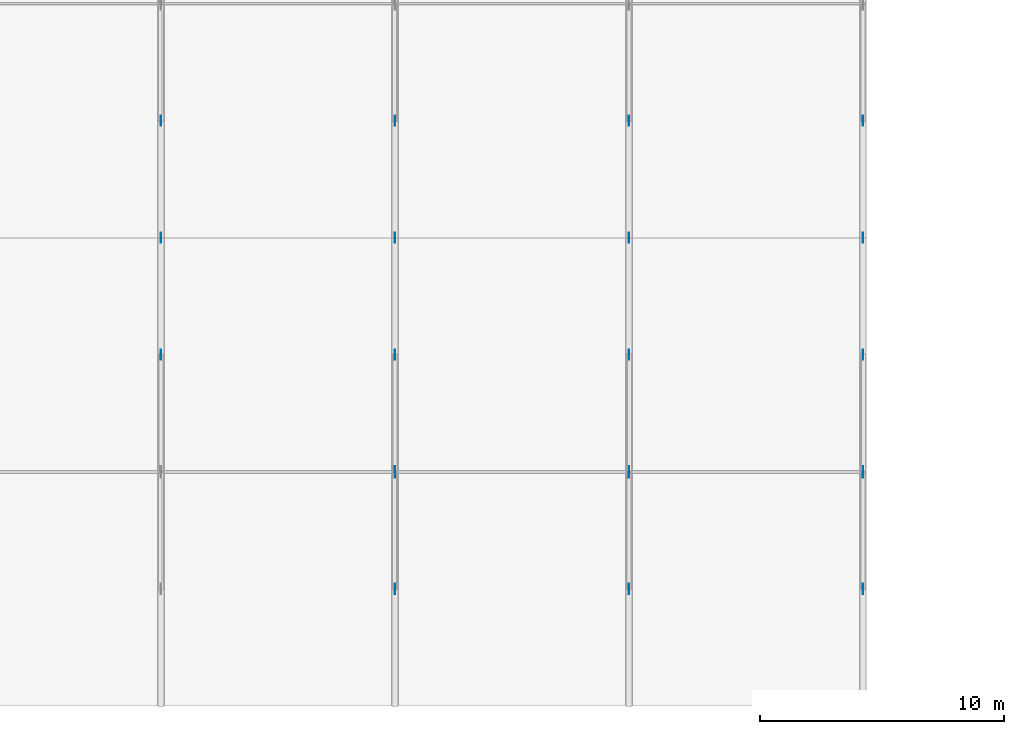
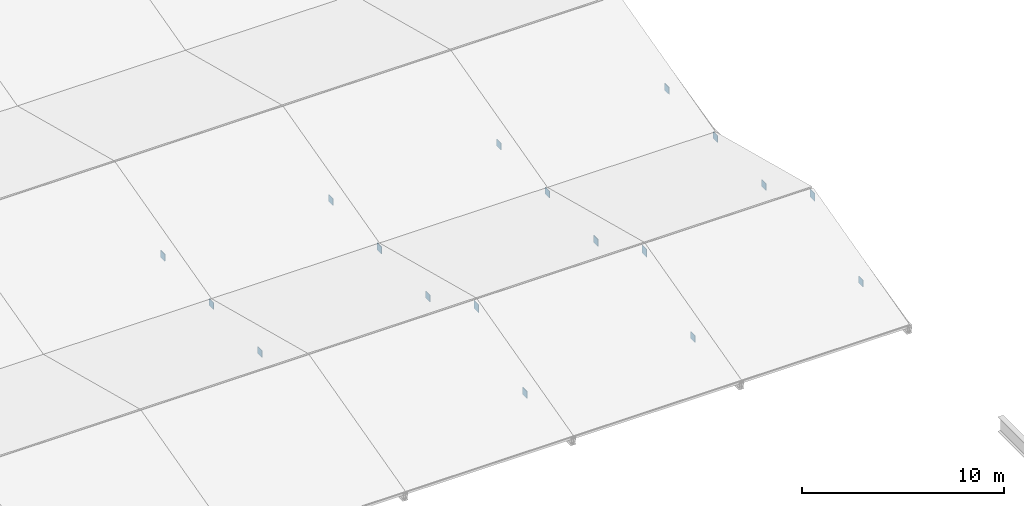
# One storey, part 27 of 52: 18 plates.
"""IFC4 building model written with IfcOpenShell, lengths in metres."""

from ifc_helpers import new_model, si_unit, direction, frame, origin, origin_2d, place, context, subcontext, project, spatial, rectangle, extrude, material, layer, layer_set, type_object, element, save


model = new_model("IFC4")

# Units and contexts
model_context = context("Model", 3, precision=1e-05, world=origin(), true_north=direction((0.0, 1.0)))
body_context = subcontext(model_context, "Body", "Model", "MODEL_VIEW")
ifc_project = project(units=[si_unit("LENGTHUNIT", "METRE"), si_unit("AREAUNIT", "SQUARE_METRE"), si_unit("VOLUMEUNIT", "CUBIC_METRE"), si_unit("PLANEANGLEUNIT", "RADIAN"), si_unit("MASSUNIT", "GRAM", prefix="KILO")], contexts=[model_context])

# Site, building, storey
site_placement = place(None, origin())
site = spatial("IfcSite", under=ifc_project, at=site_placement, CompositionType="ELEMENT")
building_placement = place(site_placement, origin())
building = spatial("IfcBuilding", under=site, at=building_placement, Name="Zarnetskaya Central Station", CompositionType="ELEMENT")
storey_placement = place(building_placement, frame((0.0, 0.0, 14.39990234375)))
storey = spatial("IfcBuildingStorey", under=building, at=storey_placement, Name="L03", CompositionType="ELEMENT", Elevation=14.39990234375)

# Plates
ifc_material = material(Name="Steel S355", Category="steel")
ifc_layer_1 = layer(ifc_material, 0.02392578125, Name="Steel S355", Category="steel")
ifc_layer_set_1 = layer_set([ifc_layer_1], Name="Steel S355")
plate_type_1 = type_object("IfcPlateType", Name="ND-GUSSET-24", PredefinedType="USERDEFINED", material=ifc_layer_set_1)
for number, where, z_axis, x_axis, name in (
    (1, (105.60009765625, 76.800048828125, 1.81005859375), (0.0, 0.0, 1.0), (1.0, 0.0, 0.0), "ROOF TRUSS SHED-SV1-06 apex gusset"),
    (2, (115.199951171875, 76.800048828125, 1.81005859375), (0.0, 0.0, 1.0), (1.0, 0.0, 0.0), "ROOF TRUSS SHED-SV1-07 apex gusset"),
    (3, (124.800048828125, 76.800048828125, 1.81005859375), (0.0, 0.0, 1.0), (1.0, 0.0, 0.0), "ROOF TRUSS SHED-SV1-08 apex gusset"),
):
    element("IfcPlate", number, at=place(storey_placement, frame(where, z_axis=z_axis, x_axis=x_axis)), inside=storey, type_object=plate_type_1, Name=name, ObjectType="GUSSET PLATE", PredefinedType="USERDEFINED", context=body_context, shape_type="SweptSolid", body=[
        extrude(rectangle(XDim=0.02392578125, YDim=0.47998046875, at=origin_2d()), origin(), (0.0, 0.0, 1.0), 0.47998046875),
    ])
ifc_layer_2 = layer(ifc_material, 0.028076171875, Name="Steel S355", Category="steel")
ifc_layer_set_2 = layer_set([ifc_layer_2], Name="Steel S355")
plate_type_2 = type_object("IfcPlateType", Name="ND-GUSSET-EXT-28", PredefinedType="USERDEFINED", material=ifc_layer_set_2)
for number, where, z_axis, x_axis, name in (
    (4, (96.0, 86.39990234375, -0.4599609375), (0.0, 0.0, 1.0), (1.0, 0.0, 0.0), "Structural member end gusset plate 037"),
    (5, (96.0, 81.60009765625, -0.4599609375), (0.0, 0.0, 1.0), (1.0, 0.0, 0.0), "Structural member end gusset plate 039"),
    (6, (105.60009765625, 86.39990234375, -0.4599609375), (0.0, 0.0, 1.0), (1.0, 0.0, 0.0), "Structural member end gusset plate 040"),
    (7, (105.60009765625, 72.0, -0.4599609375), (0.0, 0.0, 1.0), (1.0, 0.0, 0.0), "Structural member end gusset plate 041"),
    (8, (105.60009765625, 81.60009765625, -0.4599609375), (0.0, 0.0, 1.0), (1.0, 0.0, 0.0), "Structural member end gusset plate 042"),
    (9, (115.199951171875, 86.39990234375, -0.4599609375), (0.0, 0.0, 1.0), (1.0, 0.0, 0.0), "Structural member end gusset plate 043"),
    (10, (115.199951171875, 72.0, -0.4599609375), (0.0, 0.0, 1.0), (1.0, 0.0, 0.0), "Structural member end gusset plate 044"),
    (11, (115.199951171875, 81.60009765625, -0.4599609375), (0.0, 0.0, 1.0), (1.0, 0.0, 0.0), "Structural member end gusset plate 045"),
    (12, (124.800048828125, 86.39990234375, -0.4599609375), (0.0, 0.0, 1.0), (1.0, 0.0, 0.0), "Structural member end gusset plate 046"),
    (13, (124.800048828125, 72.0, -0.4599609375), (0.0, 0.0, 1.0), (1.0, 0.0, 0.0), "Structural member end gusset plate 047"),
    (14, (124.800048828125, 81.60009765625, -0.4599609375), (0.0, 0.0, 1.0), (1.0, 0.0, 0.0), "Structural member end gusset plate 048"),
    (15, (96.0, 91.199951171875, -0.4599609375), (0.0, 0.0, 1.0), (1.0, 0.0, 0.0), "Structural member end gusset plate 062"),
    (16, (105.60009765625, 91.199951171875, -0.4599609375), (0.0, 0.0, 1.0), (1.0, 0.0, 0.0), "Structural member end gusset plate 065"),
    (17, (115.199951171875, 91.199951171875, -0.4599609375), (0.0, 0.0, 1.0), (1.0, 0.0, 0.0), "Structural member end gusset plate 068"),
    (18, (124.800048828125, 91.199951171875, -0.4599609375), (0.0, 0.0, 1.0), (1.0, 0.0, 0.0), "Structural member end gusset plate 071"),
):
    element("IfcPlate", number, at=place(storey_placement, frame(where, z_axis=z_axis, x_axis=x_axis)), inside=storey, type_object=plate_type_2, Name=name, ObjectType="GUSSET PLATE", PredefinedType="USERDEFINED", context=body_context, shape_type="SweptSolid", body=[
        extrude(rectangle(XDim=0.028076171875, YDim=0.419921875, at=origin_2d()), origin(), (0.0, 0.0, 1.0), 0.419921875),
    ])

save(model, "model.ifc")
